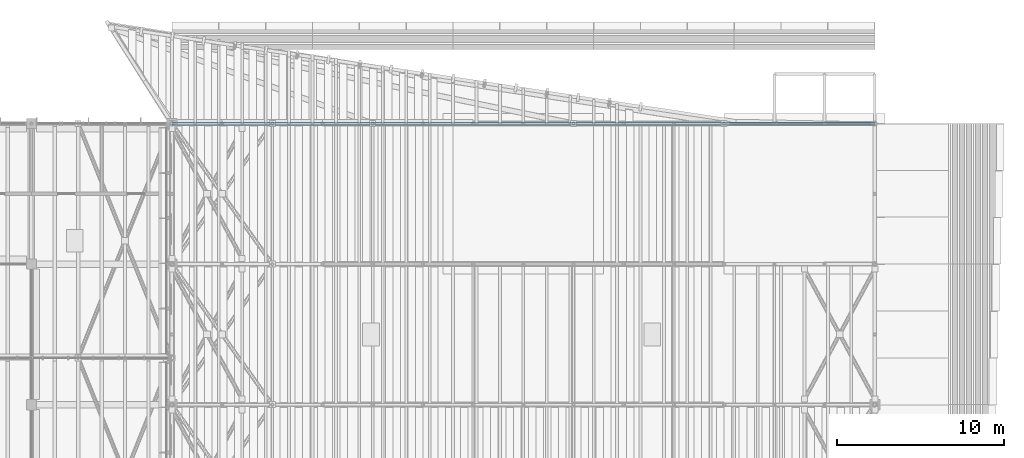
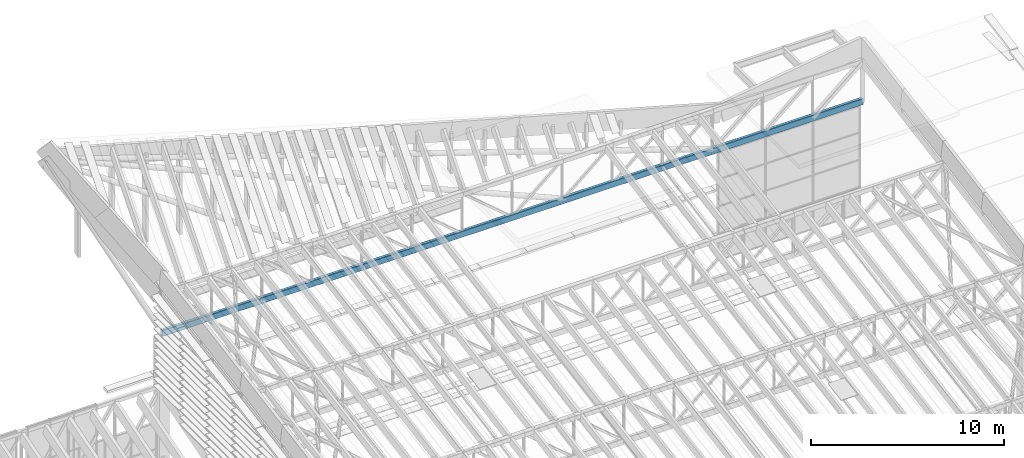
# One storey, part 43 of 91: 1 member.
"""IFC4 building model written with IfcOpenShell, lengths in metres."""

from ifc_helpers import new_model, si_unit, direction, frame, origin, origin_2d, place, context, subcontext, project, spatial, hollow_rectangle, extrude, material, material_profile, profile_set, type_object, element, save


model = new_model("IFC4")

# Units and contexts
model_context = context("Model", 3, precision=1e-05, world=origin(), true_north=direction((0.0, 1.0)))
body_context = subcontext(model_context, "Body", "Model", "MODEL_VIEW")
ifc_project = project(units=[si_unit("LENGTHUNIT", "METRE"), si_unit("AREAUNIT", "SQUARE_METRE"), si_unit("VOLUMEUNIT", "CUBIC_METRE"), si_unit("PLANEANGLEUNIT", "RADIAN"), si_unit("MASSUNIT", "GRAM", prefix="KILO")], contexts=[model_context])

# Site, building, storey
site_placement = place(None, origin())
site = spatial("IfcSite", under=ifc_project, at=site_placement, CompositionType="ELEMENT")
building_placement = place(site_placement, origin())
building = spatial("IfcBuilding", under=site, at=building_placement, Name="Almond Square Museum", CompositionType="ELEMENT")
storey_placement = place(building_placement, frame((0.0, 0.0, 30.0)))
storey = spatial("IfcBuildingStorey", under=building, at=storey_placement, Name="L05", CompositionType="ELEMENT", Elevation=30.0)

# Member
ifc_material = material(Name="Structural steel S355", Category="steel")
ifc_material_profile = material_profile(ifc_material, hollow_rectangle(XDim=0.199951171875, YDim=0.39990234375, WallThickness=0.012451171875, InnerFilletRadius=0.02490234375, OuterFilletRadius=0.03759765625, at=origin_2d()))
ifc_profile_set = profile_set([ifc_material_profile], Name="Structural steel S355")
member_type = type_object("IfcMemberType", Name="Truss chord RHS 400x200x12.5", PredefinedType="CHORD", material=ifc_profile_set)
member_placement = place(storey_placement, frame((106.800048828125, 109.199951171875, 13.989990234375), z_axis=(1.0, 0.0, 0.0), x_axis=(0.0, 1.0, 0.0)))
element("IfcMember", 1, at=member_placement, inside=storey, type_object=member_type, Name="TR-08 bottom chord 1 to 14", PredefinedType="CHORD", context=body_context, shape_type="SweptSolid", body=[
    extrude(hollow_rectangle(XDim=0.199951171875, YDim=0.39990234375, WallThickness=0.012451171875, InnerFilletRadius=0.02490234375, OuterFilletRadius=0.03759765625, at=origin_2d()), origin(), (0.0, 0.0, 1.0), 42.0),
])

save(model, "model.ifc")
